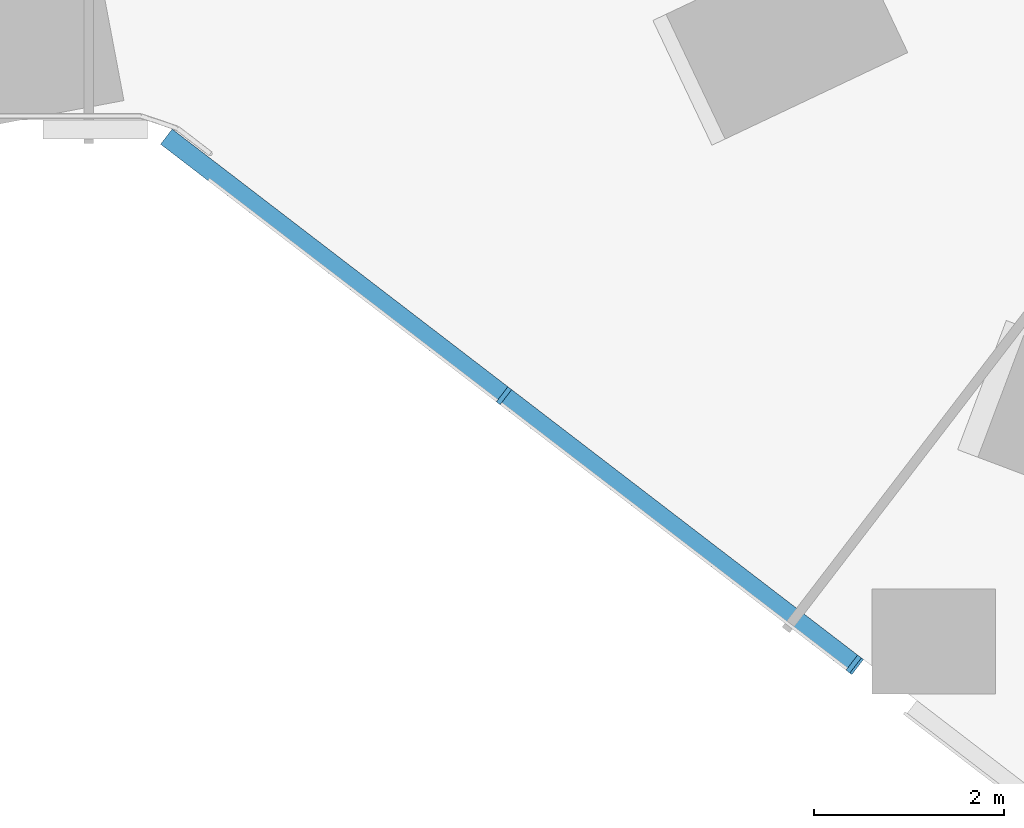
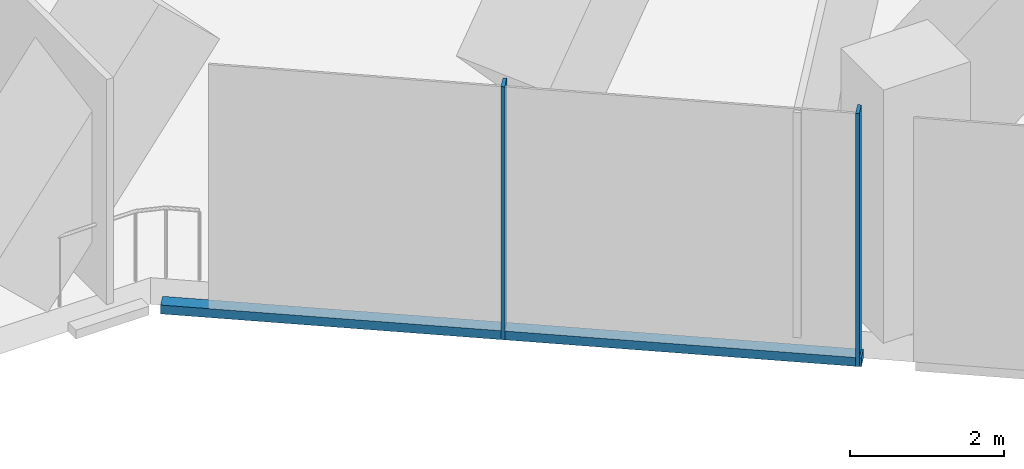
# One storey, part 8 of 32: 3 members, 1 element without a shape of its own.
"""IFC4 building model written with IfcOpenShell, lengths in metres."""

from ifc_helpers import new_model, si_unit, direction, frame, origin, origin_2d, place, context, subcontext, project, spatial, rectangle, extrude, material, material_profile, profile_set, type_object, element, aggregate, save


model = new_model("IFC4")

# Units and contexts
model_context = context("Model", 3, precision=1e-05, world=origin(), true_north=direction((0.0, 1.0)))
body_context = subcontext(model_context, "Body", "Model", "MODEL_VIEW")
ifc_project = project(units=[si_unit("LENGTHUNIT", "METRE"), si_unit("AREAUNIT", "SQUARE_METRE"), si_unit("VOLUMEUNIT", "CUBIC_METRE"), si_unit("PLANEANGLEUNIT", "RADIAN"), si_unit("MASSUNIT", "GRAM", prefix="KILO")], contexts=[model_context])

# Site, building, storey
site_placement = place(None, origin())
site = spatial("IfcSite", under=ifc_project, at=site_placement, CompositionType="ELEMENT")
building_placement = place(site_placement, origin())
building = spatial("IfcBuilding", under=site, at=building_placement, Name="Orlundy Tower", CompositionType="ELEMENT")
storey_placement = place(building_placement, frame((0.0, 0.0, 33.300048828125)))
storey = spatial("IfcBuildingStorey", under=building, at=storey_placement, Name="L06", CompositionType="ELEMENT", Elevation=33.300048828125)

# Curtain wall, members
ifc_material_1 = material(Name="Aluminium bronze anodised", Category="aluminium")
curtain_wall_type = type_object("IfcCurtainWallType", Name="CW5 wall", PredefinedType="NOTDEFINED", material=ifc_material_1)
curtain_wall_placement = place(storey_placement, origin())
curtain_wall = element("IfcCurtainWall", 1, at=curtain_wall_placement, inside=storey, type_object=curtain_wall_type, Name="CW5 run 027", PredefinedType="NOTDEFINED")
ifc_material_2 = material(Name="Aluminium bronze anodised", Category="aluminium")
ifc_material_profile_1 = material_profile(ifc_material_2, rectangle(XDim=0.199951171875, YDim=0.050048828125, at=origin_2d()), Name="CW5 mullion 50x200")
ifc_profile_set_1 = profile_set([ifc_material_profile_1], Name="Aluminium bronze anodised")
member_type_1 = type_object("IfcMemberType", Name="CW5 mullion 50x200", PredefinedType="MULLION", material=ifc_profile_set_1)
member_1_placement = place(storey_placement, frame((13.52978515625, -35.71728515625, -0.420166015625), z_axis=(0.0, 0.0, 1.0), x_axis=(-0.60875715215, -0.793356622022, 0.0)))
member_1 = element("IfcMember", 2, at=member_1_placement, type_object=member_type_1, Name="CW5 mullion 46", PredefinedType="MULLION", context=body_context, shape_type="SweptSolid", body=[
    extrude(rectangle(XDim=0.199951171875, YDim=0.050048828125, at=origin_2d()), origin(), (0.0, 0.0, 1.0), 4.0),
])
member_2_placement = place(storey_placement, frame((9.85595703125, -32.8984375, -0.420166015625), z_axis=(0.0, 0.0, 1.0), x_axis=(-0.60875715215, -0.793356622022, 0.0)))
member_2 = element("IfcMember", 3, at=member_2_placement, type_object=member_type_1, Name="CW5 mullion 47", PredefinedType="MULLION", context=body_context, shape_type="SweptSolid", body=[
    extrude(rectangle(XDim=0.199951171875, YDim=0.050048828125, at=origin_2d()), origin(), (0.0, 0.0, 1.0), 4.0),
])
ifc_material_3 = material(Name="Aluminium bronze anodised", Category="aluminium")
ifc_material_profile_2 = material_profile(ifc_material_3, rectangle(XDim=0.199951171875, YDim=0.139892578125, at=origin_2d()), Name="CW5 transom 200x140")
ifc_profile_set_2 = profile_set([ifc_material_profile_2], Name="Aluminium bronze anodised")
member_type_2 = type_object("IfcMemberType", Name="CW5 transom 200x140", PredefinedType="USERDEFINED", material=ifc_profile_set_2)
member_3_placement = place(storey_placement, frame((13.571044921875, -35.7490234375, -0.35009765625), z_axis=(-0.7933551599, 0.608759057642, 0.0), x_axis=(-0.608759057642, -0.7933551599, 0.0)))
member_3 = element("IfcMember", 4, at=member_3_placement, type_object=member_type_2, Name="CW5 transom", ObjectType="TRANSOM", PredefinedType="USERDEFINED", context=body_context, shape_type="SweptSolid", body=[
    extrude(rectangle(XDim=0.199951171875, YDim=0.139892578125, at=origin_2d()), origin(), (0.0, 0.0, 1.0), 9.153564453125),
])
aggregate(curtain_wall, [member_1, member_2, member_3])

save(model, "model.ifc")
